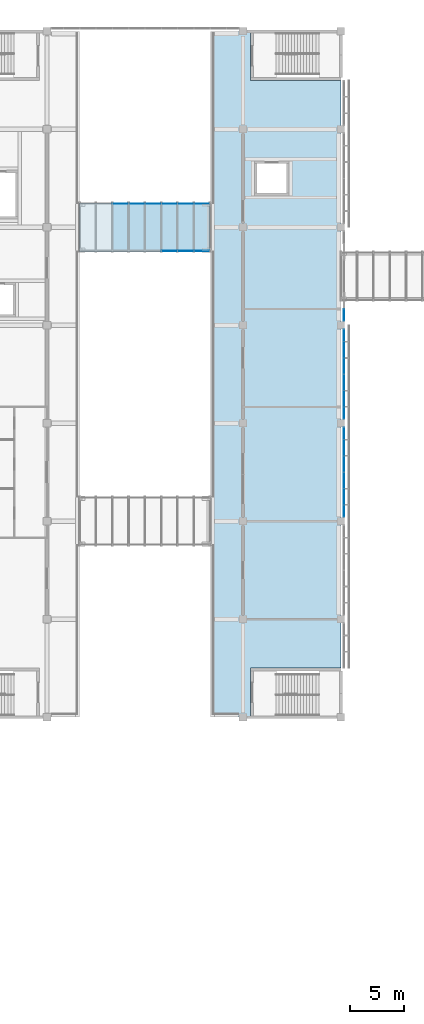
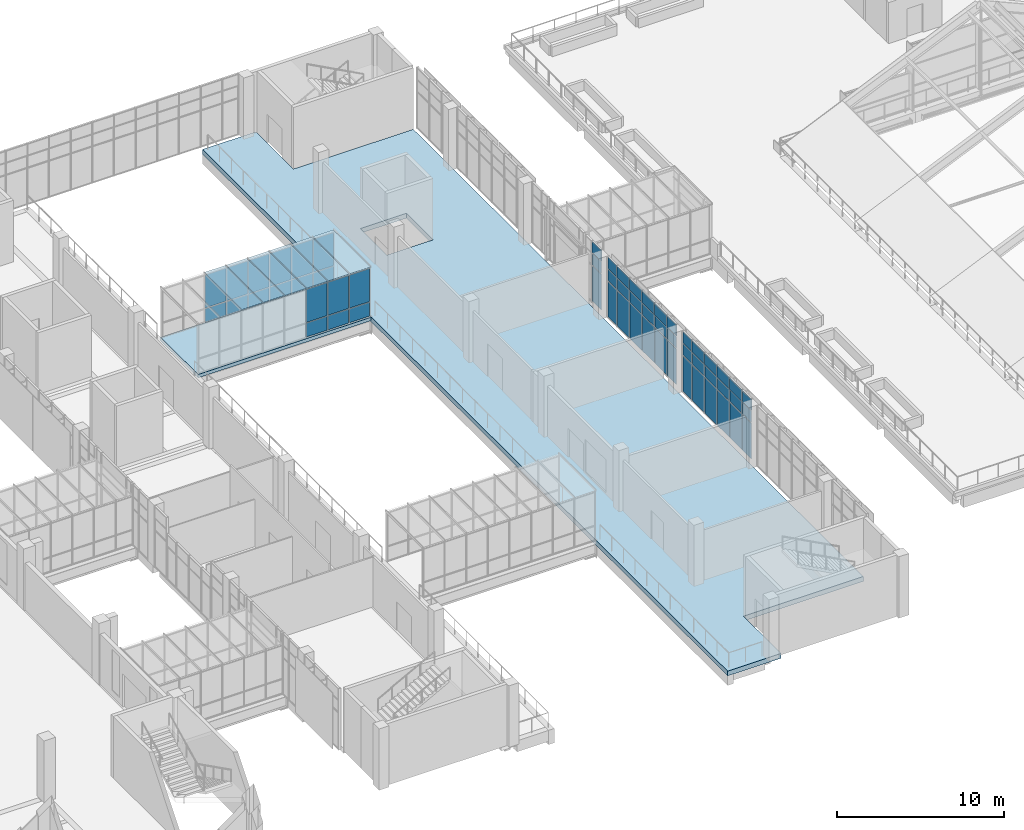
# One storey, part 58 of 106: 63 plates, 2 slabs, 6 elements without a shape of their own.
"""IFC4 building model written with IfcOpenShell, lengths in metres."""

from ifc_helpers import new_model, si_unit, direction, frame, origin, origin_2d, place, context, subcontext, project, spatial, polyline, rectangle, outline, extrude, material, layer, layer_set, type_object, element, aggregate, save


model = new_model("IFC4")

# Units and contexts
model_context = context("Model", 3, precision=1e-05, world=origin(), true_north=direction((0.0, 1.0)))
body_context = subcontext(model_context, "Body", "Model", "MODEL_VIEW")
ifc_project = project(units=[si_unit("LENGTHUNIT", "METRE"), si_unit("AREAUNIT", "SQUARE_METRE"), si_unit("VOLUMEUNIT", "CUBIC_METRE"), si_unit("PLANEANGLEUNIT", "RADIAN"), si_unit("MASSUNIT", "GRAM", prefix="KILO")], contexts=[model_context])

# Site, building, storey
site_placement = place(None, origin())
site = spatial("IfcSite", under=ifc_project, at=site_placement, CompositionType="ELEMENT")
building_placement = place(site_placement, origin())
building = spatial("IfcBuilding", under=site, at=building_placement, Name="Guidao Yard Department Store", CompositionType="ELEMENT")
storey_placement = place(building_placement, frame((0.0, 0.0, 10.5)))
storey = spatial("IfcBuildingStorey", under=building, at=storey_placement, Name="L02", CompositionType="ELEMENT", Elevation=10.5)

# Slab
ifc_material_1 = material(Name="Concrete C35", Category="concrete")
ifc_layer_1 = layer(ifc_material_1, 0.25)
ifc_layer_set_1 = layer_set([ifc_layer_1], Name="Bridge deck slab 250 C35")
slab_type_1 = type_object("IfcSlabType", Name="Bridge deck slab 250 C35", PredefinedType="FLOOR", material=ifc_layer_set_1)
slab_1_placement = place(storey_placement, frame((0.0, 0.0, -0.25)))
element("IfcSlab", 1, at=slab_1_placement, inside=storey, type_object=slab_type_1, Name="Slab BR12", PredefinedType="FLOOR", context=body_context, shape_type="SweptSolid", body=[
    extrude(outline(polyline([(95.985107421875, 87.75), (84.0, 87.75), (84.0, 92.25), (95.985107421875, 92.25), (95.985107421875, 87.75)])), origin(), (0.0, 0.0, 1.0), 0.25),
])

# Curtain wall, plates
ifc_material_2 = material(Name="Aluminium and glass", Category="aluminium")
ifc_layer_2 = layer(ifc_material_2, 0.159912109375)
ifc_layer_set_2 = layer_set([ifc_layer_2], Name="Bridge glazing CW5 1500 module")
curtain_wall_type_1 = type_object("IfcCurtainWallType", Name="Bridge glazing CW5 1500 module", PredefinedType="NOTDEFINED", material=ifc_layer_set_2)
curtain_wall_1_placement = place(storey_placement, origin())
curtain_wall_1 = element("IfcCurtainWall", 2, at=curtain_wall_1_placement, inside=storey, type_object=curtain_wall_type_1, Name="Bridge roof glazing BR12", PredefinedType="NOTDEFINED")
ifc_material_3 = material(Name="Laminated glass", Category="glass")
ifc_layer_3 = layer(ifc_material_3, 0.017578125)
ifc_layer_set_3 = layer_set([ifc_layer_3], Name="Bridge roof glass BG1 laminated 8+8 fritted")
plate_type_1 = type_object("IfcPlateType", Name="Bridge roof glass BG1 laminated 8+8 fritted", PredefinedType="CURTAIN_PANEL", material=ifc_layer_set_3)
plate_1_placement = place(storey_placement, frame((87.75, 90.0, 3.671142578125), z_axis=(0.0, 0.0, 1.0), x_axis=(1.0, 0.0, 0.0)))
plate_1 = element("IfcPlate", 3, at=plate_1_placement, type_object=plate_type_1, Name="Bridge roof glass BR12", PredefinedType="CURTAIN_PANEL", context=body_context, shape_type="SweptSolid", body=[
    extrude(rectangle(XDim=1.43994140625, YDim=4.5, at=origin_2d()), origin(), (0.0, 0.0, 1.0), 0.017578125),
])
plate_2_placement = place(storey_placement, frame((89.25, 90.0, 3.671142578125), z_axis=(0.0, 0.0, 1.0), x_axis=(1.0, 0.0, 0.0)))
plate_2 = element("IfcPlate", 4, at=plate_2_placement, type_object=plate_type_1, Name="Bridge roof glass BR12", PredefinedType="CURTAIN_PANEL", context=body_context, shape_type="SweptSolid", body=[
    extrude(rectangle(XDim=1.43994140625, YDim=4.5, at=origin_2d()), origin(), (0.0, 0.0, 1.0), 0.017578125),
])
plate_3_placement = place(storey_placement, frame((90.75, 90.0, 3.671142578125), z_axis=(0.0, 0.0, 1.0), x_axis=(1.0, 0.0, 0.0)))
plate_3 = element("IfcPlate", 5, at=plate_3_placement, type_object=plate_type_1, Name="Bridge roof glass BR12", PredefinedType="CURTAIN_PANEL", context=body_context, shape_type="SweptSolid", body=[
    extrude(rectangle(XDim=1.43994140625, YDim=4.5, at=origin_2d()), origin(), (0.0, 0.0, 1.0), 0.017578125),
])
plate_4_placement = place(storey_placement, frame((92.25, 90.0, 3.671142578125), z_axis=(0.0, 0.0, 1.0), x_axis=(1.0, 0.0, 0.0)))
plate_4 = element("IfcPlate", 6, at=plate_4_placement, type_object=plate_type_1, Name="Bridge roof glass BR12", PredefinedType="CURTAIN_PANEL", context=body_context, shape_type="SweptSolid", body=[
    extrude(rectangle(XDim=1.43994140625, YDim=4.5, at=origin_2d()), origin(), (0.0, 0.0, 1.0), 0.017578125),
])
plate_5_placement = place(storey_placement, frame((93.75, 90.0, 3.671142578125), z_axis=(0.0, 0.0, 1.0), x_axis=(1.0, 0.0, 0.0)))
plate_5 = element("IfcPlate", 7, at=plate_5_placement, type_object=plate_type_1, Name="Bridge roof glass BR12", PredefinedType="CURTAIN_PANEL", context=body_context, shape_type="SweptSolid", body=[
    extrude(rectangle(XDim=1.43994140625, YDim=4.5, at=origin_2d()), origin(), (0.0, 0.0, 1.0), 0.017578125),
])
plate_6_placement = place(storey_placement, frame((95.242431640625, 90.0, 3.671142578125), z_axis=(0.0, 0.0, 1.0), x_axis=(1.0, 0.0, 0.0)))
plate_6 = element("IfcPlate", 8, at=plate_6_placement, type_object=plate_type_1, Name="Bridge roof glass BR12", PredefinedType="CURTAIN_PANEL", context=body_context, shape_type="SweptSolid", body=[
    extrude(rectangle(XDim=1.425048828125, YDim=4.5, at=origin_2d()), origin(), (0.0, 0.0, 1.0), 0.017578125),
])
aggregate(curtain_wall_1, [plate_1, plate_2, plate_3, plate_4, plate_5, plate_6])

# Slab
ifc_material_4 = material(Name="Concrete C35", Category="concrete")
ifc_layer_4 = layer(ifc_material_4, 0.35009765625)
ifc_layer_set_4 = layer_set([ifc_layer_4], Name="Gallery floor slab 350 C35")
slab_type_2 = type_object("IfcSlabType", Name="Gallery floor slab 350 C35", PredefinedType="FLOOR", material=ifc_layer_set_4)
slab_2_placement = place(storey_placement, frame((0.0, 0.0, -0.35009765625)))
element("IfcSlab", 9, at=slab_2_placement, inside=storey, type_object=slab_type_2, Name="Slab L02-E", PredefinedType="FLOOR", context=body_context, shape_type="SweptSolid", body=[
    extrude(outline(polyline([(99.699951171875, 49.5), (99.699951171875, 45.0), (99.0, 45.0), (96.0, 45.0), (96.0, 60.75), (96.0, 65.25), (96.0, 87.75), (96.0, 92.25), (96.0, 108.0), (99.0, 108.0), (99.699951171875, 108.0), (99.699951171875, 103.5), (108.0, 103.5), (108.0, 49.5), (99.699951171875, 49.5)]), holes=[polyline([(103.25, 96.10009765625), (100.050048828125, 96.10009765625), (100.050048828125, 92.89990234375), (103.25, 92.89990234375), (103.25, 96.10009765625)])]), origin(), (0.0, 0.0, 1.0), 0.35009765625),
])

# Curtain wall, plates
ifc_material_5 = material(Name="Aluminium and glass", Category="aluminium")
ifc_layer_5 = layer(ifc_material_5, 0.159912109375)
ifc_layer_set_5 = layer_set([ifc_layer_5], Name="Shopfront curtain wall CW1 1500 module")
curtain_wall_type_2 = type_object("IfcCurtainWallType", Name="Shopfront curtain wall CW1 1500 module", PredefinedType="NOTDEFINED", material=ifc_layer_set_5)
curtain_wall_2_placement = place(storey_placement, origin())
curtain_wall_2 = element("IfcCurtainWall", 10, at=curtain_wall_2_placement, inside=storey, type_object=curtain_wall_type_2, Name="Arcade shop front", PredefinedType="NOTDEFINED")
ifc_material_6 = material(Name="Aluminium 6063-T5 faced insulated spandrel", Category="aluminium")
ifc_layer_6 = layer(ifc_material_6, 0.06005859375)
ifc_layer_set_6 = layer_set([ifc_layer_6], Name="Spandrel panel SP1 insulated opaque")
plate_type_2 = type_object("IfcPlateType", Name="Spandrel panel SP1 insulated opaque", PredefinedType="CURTAIN_PANEL", material=ifc_layer_set_6)
plate_7_placement = place(storey_placement, frame((108.280029296875, 63.93994140625, 3.6298828125), z_axis=(0.0, 0.0, 1.0), x_axis=(0.0, -1.0, 0.0)))
plate_7 = element("IfcPlate", 11, at=plate_7_placement, type_object=plate_type_2, Name="CW-AS-L02-16 panel 1.3", PredefinedType="CURTAIN_PANEL", context=body_context, shape_type="SweptSolid", body=[
    extrude(rectangle(XDim=1.06005859375, YDim=0.06005859375, at=origin_2d()), origin(), (0.0, 0.0, 1.0), 0.81005859375),
])
plate_8_placement = place(storey_placement, frame((108.280029296875, 65.25, 3.6298828125), z_axis=(0.0, 0.0, 1.0), x_axis=(0.0, -1.0, 0.0)))
plate_8 = element("IfcPlate", 12, at=plate_8_placement, type_object=plate_type_2, Name="CW-AS-L02-16 panel 2.3", PredefinedType="CURTAIN_PANEL", context=body_context, shape_type="SweptSolid", body=[
    extrude(rectangle(XDim=1.43994140625, YDim=0.06005859375, at=origin_2d()), origin(), (0.0, 0.0, 1.0), 0.81005859375),
])
plate_9_placement = place(storey_placement, frame((108.280029296875, 66.75, 3.6298828125), z_axis=(0.0, 0.0, 1.0), x_axis=(0.0, -1.0, 0.0)))
plate_9 = element("IfcPlate", 13, at=plate_9_placement, type_object=plate_type_2, Name="CW-AS-L02-16 panel 3.3", PredefinedType="CURTAIN_PANEL", context=body_context, shape_type="SweptSolid", body=[
    extrude(rectangle(XDim=1.43994140625, YDim=0.06005859375, at=origin_2d()), origin(), (0.0, 0.0, 1.0), 0.81005859375),
])
plate_10_placement = place(storey_placement, frame((108.280029296875, 68.25, 3.6298828125), z_axis=(0.0, 0.0, 1.0), x_axis=(0.0, -1.0, 0.0)))
plate_10 = element("IfcPlate", 14, at=plate_10_placement, type_object=plate_type_2, Name="CW-AS-L02-16 panel 4.3", PredefinedType="CURTAIN_PANEL", context=body_context, shape_type="SweptSolid", body=[
    extrude(rectangle(XDim=1.43994140625, YDim=0.06005859375, at=origin_2d()), origin(), (0.0, 0.0, 1.0), 0.81005859375),
])
plate_11_placement = place(storey_placement, frame((108.280029296875, 69.75, 3.6298828125), z_axis=(0.0, 0.0, 1.0), x_axis=(0.0, -1.0, 0.0)))
plate_11 = element("IfcPlate", 15, at=plate_11_placement, type_object=plate_type_2, Name="CW-AS-L02-16 panel 5.3", PredefinedType="CURTAIN_PANEL", context=body_context, shape_type="SweptSolid", body=[
    extrude(rectangle(XDim=1.43994140625, YDim=0.06005859375, at=origin_2d()), origin(), (0.0, 0.0, 1.0), 0.81005859375),
])
plate_12_placement = place(storey_placement, frame((108.280029296875, 71.06005859375, 3.6298828125), z_axis=(0.0, 0.0, 1.0), x_axis=(0.0, -1.0, 0.0)))
plate_12 = element("IfcPlate", 16, at=plate_12_placement, type_object=plate_type_2, Name="CW-AS-L02-16 panel 6.3", PredefinedType="CURTAIN_PANEL", context=body_context, shape_type="SweptSolid", body=[
    extrude(rectangle(XDim=1.06005859375, YDim=0.06005859375, at=origin_2d()), origin(), (0.0, 0.0, 1.0), 0.81005859375),
])

curtain_wall_3_placement = place(storey_placement, origin())
curtain_wall_3 = element("IfcCurtainWall", 17, at=curtain_wall_3_placement, inside=storey, type_object=curtain_wall_type_2, Name="Arcade shop front", PredefinedType="NOTDEFINED")
plate_13_placement = place(storey_placement, frame((108.280029296875, 72.93994140625, 3.6298828125), z_axis=(0.0, 0.0, 1.0), x_axis=(0.0, -1.0, 0.0)))
plate_13 = element("IfcPlate", 18, at=plate_13_placement, type_object=plate_type_2, Name="CW-AS-L02-17 panel 1.3", PredefinedType="CURTAIN_PANEL", context=body_context, shape_type="SweptSolid", body=[
    extrude(rectangle(XDim=1.06005859375, YDim=0.06005859375, at=origin_2d()), origin(), (0.0, 0.0, 1.0), 0.81005859375),
])
plate_14_placement = place(storey_placement, frame((108.280029296875, 74.25, 3.6298828125), z_axis=(0.0, 0.0, 1.0), x_axis=(0.0, -1.0, 0.0)))
plate_14 = element("IfcPlate", 19, at=plate_14_placement, type_object=plate_type_2, Name="CW-AS-L02-17 panel 2.3", PredefinedType="CURTAIN_PANEL", context=body_context, shape_type="SweptSolid", body=[
    extrude(rectangle(XDim=1.43994140625, YDim=0.06005859375, at=origin_2d()), origin(), (0.0, 0.0, 1.0), 0.81005859375),
])
plate_15_placement = place(storey_placement, frame((108.280029296875, 75.75, 3.6298828125), z_axis=(0.0, 0.0, 1.0), x_axis=(0.0, -1.0, 0.0)))
plate_15 = element("IfcPlate", 20, at=plate_15_placement, type_object=plate_type_2, Name="CW-AS-L02-17 panel 3.3", PredefinedType="CURTAIN_PANEL", context=body_context, shape_type="SweptSolid", body=[
    extrude(rectangle(XDim=1.43994140625, YDim=0.06005859375, at=origin_2d()), origin(), (0.0, 0.0, 1.0), 0.81005859375),
])
plate_16_placement = place(storey_placement, frame((108.280029296875, 77.25, 3.6298828125), z_axis=(0.0, 0.0, 1.0), x_axis=(0.0, -1.0, 0.0)))
plate_16 = element("IfcPlate", 21, at=plate_16_placement, type_object=plate_type_2, Name="CW-AS-L02-17 panel 4.3", PredefinedType="CURTAIN_PANEL", context=body_context, shape_type="SweptSolid", body=[
    extrude(rectangle(XDim=1.43994140625, YDim=0.06005859375, at=origin_2d()), origin(), (0.0, 0.0, 1.0), 0.81005859375),
])
plate_17_placement = place(storey_placement, frame((108.280029296875, 78.75, 3.6298828125), z_axis=(0.0, 0.0, 1.0), x_axis=(0.0, -1.0, 0.0)))
plate_17 = element("IfcPlate", 22, at=plate_17_placement, type_object=plate_type_2, Name="CW-AS-L02-17 panel 5.3", PredefinedType="CURTAIN_PANEL", context=body_context, shape_type="SweptSolid", body=[
    extrude(rectangle(XDim=1.43994140625, YDim=0.06005859375, at=origin_2d()), origin(), (0.0, 0.0, 1.0), 0.81005859375),
])
plate_18_placement = place(storey_placement, frame((108.280029296875, 80.06005859375, 3.6298828125), z_axis=(0.0, 0.0, 1.0), x_axis=(0.0, -1.0, 0.0)))
plate_18 = element("IfcPlate", 23, at=plate_18_placement, type_object=plate_type_2, Name="CW-AS-L02-17 panel 6.3", PredefinedType="CURTAIN_PANEL", context=body_context, shape_type="SweptSolid", body=[
    extrude(rectangle(XDim=1.06005859375, YDim=0.06005859375, at=origin_2d()), origin(), (0.0, 0.0, 1.0), 0.81005859375),
])

# Curtain wall, plate
curtain_wall_4_placement = place(storey_placement, origin())
curtain_wall_4 = element("IfcCurtainWall", 24, at=curtain_wall_4_placement, inside=storey, type_object=curtain_wall_type_2, Name="Arcade shop front", PredefinedType="NOTDEFINED")
plate_19_placement = place(storey_placement, frame((108.280029296875, 81.93994140625, 3.6298828125), z_axis=(0.0, 0.0, 1.0), x_axis=(0.0, -1.0, 0.0)))
plate_19 = element("IfcPlate", 25, at=plate_19_placement, type_object=plate_type_2, Name="CW-AS-L02-18 panel 1.3", PredefinedType="CURTAIN_PANEL", context=body_context, shape_type="SweptSolid", body=[
    extrude(rectangle(XDim=1.06005859375, YDim=0.06005859375, at=origin_2d()), origin(), (0.0, 0.0, 1.0), 0.81005859375),
])

# Plate
ifc_material_7 = material(Name="Laminated heat-soaked tempered glass", Category="glass")
ifc_layer_7 = layer(ifc_material_7, 0.017578125)
ifc_layer_set_7 = layer_set([ifc_layer_7], Name="Vision glass VG1 laminated heat-soaked tempered 8+8")
plate_type_3 = type_object("IfcPlateType", Name="Vision glass VG1 laminated heat-soaked tempered 8+8", PredefinedType="CURTAIN_PANEL", material=ifc_layer_set_7)
plate_20_placement = place(storey_placement, frame((108.280029296875, 63.93994140625, 0.06005859375), z_axis=(0.0, 0.0, 1.0), x_axis=(0.0, -1.0, 0.0)))
plate_20 = element("IfcPlate", 26, at=plate_20_placement, type_object=plate_type_3, Name="CW-AS-L02-16 panel 1.1", PredefinedType="CURTAIN_PANEL", context=body_context, shape_type="SweptSolid", body=[
    extrude(rectangle(XDim=1.06005859375, YDim=0.017578125, at=origin_2d()), origin(), (0.0, 0.0, 1.0), 2.610107421875),
])

plate_21_placement = place(storey_placement, frame((108.280029296875, 63.93994140625, 2.72998046875), z_axis=(0.0, 0.0, 1.0), x_axis=(0.0, -1.0, 0.0)))
plate_21 = element("IfcPlate", 27, at=plate_21_placement, type_object=plate_type_3, Name="CW-AS-L02-16 panel 1.2", PredefinedType="CURTAIN_PANEL", context=body_context, shape_type="SweptSolid", body=[
    extrude(rectangle(XDim=1.06005859375, YDim=0.017578125, at=origin_2d()), origin(), (0.0, 0.0, 1.0), 0.840087890625),
])

plate_22_placement = place(storey_placement, frame((108.280029296875, 65.25, 0.06005859375), z_axis=(0.0, 0.0, 1.0), x_axis=(0.0, -1.0, 0.0)))
plate_22 = element("IfcPlate", 28, at=plate_22_placement, type_object=plate_type_3, Name="CW-AS-L02-16 panel 2.1", PredefinedType="CURTAIN_PANEL", context=body_context, shape_type="SweptSolid", body=[
    extrude(rectangle(XDim=1.43994140625, YDim=0.017578125, at=origin_2d()), origin(), (0.0, 0.0, 1.0), 2.610107421875),
])

plate_23_placement = place(storey_placement, frame((108.280029296875, 65.25, 2.72998046875), z_axis=(0.0, 0.0, 1.0), x_axis=(0.0, -1.0, 0.0)))
plate_23 = element("IfcPlate", 29, at=plate_23_placement, type_object=plate_type_3, Name="CW-AS-L02-16 panel 2.2", PredefinedType="CURTAIN_PANEL", context=body_context, shape_type="SweptSolid", body=[
    extrude(rectangle(XDim=1.43994140625, YDim=0.017578125, at=origin_2d()), origin(), (0.0, 0.0, 1.0), 0.840087890625),
])

plate_24_placement = place(storey_placement, frame((108.280029296875, 66.75, 0.06005859375), z_axis=(0.0, 0.0, 1.0), x_axis=(0.0, -1.0, 0.0)))
plate_24 = element("IfcPlate", 30, at=plate_24_placement, type_object=plate_type_3, Name="CW-AS-L02-16 panel 3.1", PredefinedType="CURTAIN_PANEL", context=body_context, shape_type="SweptSolid", body=[
    extrude(rectangle(XDim=1.43994140625, YDim=0.017578125, at=origin_2d()), origin(), (0.0, 0.0, 1.0), 2.610107421875),
])

plate_25_placement = place(storey_placement, frame((108.280029296875, 66.75, 2.72998046875), z_axis=(0.0, 0.0, 1.0), x_axis=(0.0, -1.0, 0.0)))
plate_25 = element("IfcPlate", 31, at=plate_25_placement, type_object=plate_type_3, Name="CW-AS-L02-16 panel 3.2", PredefinedType="CURTAIN_PANEL", context=body_context, shape_type="SweptSolid", body=[
    extrude(rectangle(XDim=1.43994140625, YDim=0.017578125, at=origin_2d()), origin(), (0.0, 0.0, 1.0), 0.840087890625),
])

plate_26_placement = place(storey_placement, frame((108.280029296875, 68.25, 0.06005859375), z_axis=(0.0, 0.0, 1.0), x_axis=(0.0, -1.0, 0.0)))
plate_26 = element("IfcPlate", 32, at=plate_26_placement, type_object=plate_type_3, Name="CW-AS-L02-16 panel 4.1", PredefinedType="CURTAIN_PANEL", context=body_context, shape_type="SweptSolid", body=[
    extrude(rectangle(XDim=1.43994140625, YDim=0.017578125, at=origin_2d()), origin(), (0.0, 0.0, 1.0), 2.610107421875),
])

plate_27_placement = place(storey_placement, frame((108.280029296875, 68.25, 2.72998046875), z_axis=(0.0, 0.0, 1.0), x_axis=(0.0, -1.0, 0.0)))
plate_27 = element("IfcPlate", 33, at=plate_27_placement, type_object=plate_type_3, Name="CW-AS-L02-16 panel 4.2", PredefinedType="CURTAIN_PANEL", context=body_context, shape_type="SweptSolid", body=[
    extrude(rectangle(XDim=1.43994140625, YDim=0.017578125, at=origin_2d()), origin(), (0.0, 0.0, 1.0), 0.840087890625),
])

plate_28_placement = place(storey_placement, frame((108.280029296875, 69.75, 0.06005859375), z_axis=(0.0, 0.0, 1.0), x_axis=(0.0, -1.0, 0.0)))
plate_28 = element("IfcPlate", 34, at=plate_28_placement, type_object=plate_type_3, Name="CW-AS-L02-16 panel 5.1", PredefinedType="CURTAIN_PANEL", context=body_context, shape_type="SweptSolid", body=[
    extrude(rectangle(XDim=1.43994140625, YDim=0.017578125, at=origin_2d()), origin(), (0.0, 0.0, 1.0), 2.610107421875),
])

plate_29_placement = place(storey_placement, frame((108.280029296875, 69.75, 2.72998046875), z_axis=(0.0, 0.0, 1.0), x_axis=(0.0, -1.0, 0.0)))
plate_29 = element("IfcPlate", 35, at=plate_29_placement, type_object=plate_type_3, Name="CW-AS-L02-16 panel 5.2", PredefinedType="CURTAIN_PANEL", context=body_context, shape_type="SweptSolid", body=[
    extrude(rectangle(XDim=1.43994140625, YDim=0.017578125, at=origin_2d()), origin(), (0.0, 0.0, 1.0), 0.840087890625),
])

plate_30_placement = place(storey_placement, frame((108.280029296875, 71.06005859375, 0.06005859375), z_axis=(0.0, 0.0, 1.0), x_axis=(0.0, -1.0, 0.0)))
plate_30 = element("IfcPlate", 36, at=plate_30_placement, type_object=plate_type_3, Name="CW-AS-L02-16 panel 6.1", PredefinedType="CURTAIN_PANEL", context=body_context, shape_type="SweptSolid", body=[
    extrude(rectangle(XDim=1.06005859375, YDim=0.017578125, at=origin_2d()), origin(), (0.0, 0.0, 1.0), 2.610107421875),
])

plate_31_placement = place(storey_placement, frame((108.280029296875, 71.06005859375, 2.72998046875), z_axis=(0.0, 0.0, 1.0), x_axis=(0.0, -1.0, 0.0)))
plate_31 = element("IfcPlate", 37, at=plate_31_placement, type_object=plate_type_3, Name="CW-AS-L02-16 panel 6.2", PredefinedType="CURTAIN_PANEL", context=body_context, shape_type="SweptSolid", body=[
    extrude(rectangle(XDim=1.06005859375, YDim=0.017578125, at=origin_2d()), origin(), (0.0, 0.0, 1.0), 0.840087890625),
])

aggregate(curtain_wall_2, [plate_20, plate_21, plate_7, plate_22, plate_23, plate_8, plate_24, plate_25, plate_9, plate_26, plate_27, plate_10, plate_28, plate_29, plate_11, plate_30, plate_31, plate_12])

plate_32_placement = place(storey_placement, frame((108.280029296875, 72.93994140625, 0.06005859375), z_axis=(0.0, 0.0, 1.0), x_axis=(0.0, -1.0, 0.0)))
plate_32 = element("IfcPlate", 38, at=plate_32_placement, type_object=plate_type_3, Name="CW-AS-L02-17 panel 1.1", PredefinedType="CURTAIN_PANEL", context=body_context, shape_type="SweptSolid", body=[
    extrude(rectangle(XDim=1.06005859375, YDim=0.017578125, at=origin_2d()), origin(), (0.0, 0.0, 1.0), 2.610107421875),
])

plate_33_placement = place(storey_placement, frame((108.280029296875, 72.93994140625, 2.72998046875), z_axis=(0.0, 0.0, 1.0), x_axis=(0.0, -1.0, 0.0)))
plate_33 = element("IfcPlate", 39, at=plate_33_placement, type_object=plate_type_3, Name="CW-AS-L02-17 panel 1.2", PredefinedType="CURTAIN_PANEL", context=body_context, shape_type="SweptSolid", body=[
    extrude(rectangle(XDim=1.06005859375, YDim=0.017578125, at=origin_2d()), origin(), (0.0, 0.0, 1.0), 0.840087890625),
])

plate_34_placement = place(storey_placement, frame((108.280029296875, 74.25, 0.06005859375), z_axis=(0.0, 0.0, 1.0), x_axis=(0.0, -1.0, 0.0)))
plate_34 = element("IfcPlate", 40, at=plate_34_placement, type_object=plate_type_3, Name="CW-AS-L02-17 panel 2.1", PredefinedType="CURTAIN_PANEL", context=body_context, shape_type="SweptSolid", body=[
    extrude(rectangle(XDim=1.43994140625, YDim=0.017578125, at=origin_2d()), origin(), (0.0, 0.0, 1.0), 2.610107421875),
])

plate_35_placement = place(storey_placement, frame((108.280029296875, 74.25, 2.72998046875), z_axis=(0.0, 0.0, 1.0), x_axis=(0.0, -1.0, 0.0)))
plate_35 = element("IfcPlate", 41, at=plate_35_placement, type_object=plate_type_3, Name="CW-AS-L02-17 panel 2.2", PredefinedType="CURTAIN_PANEL", context=body_context, shape_type="SweptSolid", body=[
    extrude(rectangle(XDim=1.43994140625, YDim=0.017578125, at=origin_2d()), origin(), (0.0, 0.0, 1.0), 0.840087890625),
])

plate_36_placement = place(storey_placement, frame((108.280029296875, 75.75, 0.06005859375), z_axis=(0.0, 0.0, 1.0), x_axis=(0.0, -1.0, 0.0)))
plate_36 = element("IfcPlate", 42, at=plate_36_placement, type_object=plate_type_3, Name="CW-AS-L02-17 panel 3.1", PredefinedType="CURTAIN_PANEL", context=body_context, shape_type="SweptSolid", body=[
    extrude(rectangle(XDim=1.43994140625, YDim=0.017578125, at=origin_2d()), origin(), (0.0, 0.0, 1.0), 2.610107421875),
])

plate_37_placement = place(storey_placement, frame((108.280029296875, 75.75, 2.72998046875), z_axis=(0.0, 0.0, 1.0), x_axis=(0.0, -1.0, 0.0)))
plate_37 = element("IfcPlate", 43, at=plate_37_placement, type_object=plate_type_3, Name="CW-AS-L02-17 panel 3.2", PredefinedType="CURTAIN_PANEL", context=body_context, shape_type="SweptSolid", body=[
    extrude(rectangle(XDim=1.43994140625, YDim=0.017578125, at=origin_2d()), origin(), (0.0, 0.0, 1.0), 0.840087890625),
])

plate_38_placement = place(storey_placement, frame((108.280029296875, 77.25, 0.06005859375), z_axis=(0.0, 0.0, 1.0), x_axis=(0.0, -1.0, 0.0)))
plate_38 = element("IfcPlate", 44, at=plate_38_placement, type_object=plate_type_3, Name="CW-AS-L02-17 panel 4.1", PredefinedType="CURTAIN_PANEL", context=body_context, shape_type="SweptSolid", body=[
    extrude(rectangle(XDim=1.43994140625, YDim=0.017578125, at=origin_2d()), origin(), (0.0, 0.0, 1.0), 2.610107421875),
])

plate_39_placement = place(storey_placement, frame((108.280029296875, 77.25, 2.72998046875), z_axis=(0.0, 0.0, 1.0), x_axis=(0.0, -1.0, 0.0)))
plate_39 = element("IfcPlate", 45, at=plate_39_placement, type_object=plate_type_3, Name="CW-AS-L02-17 panel 4.2", PredefinedType="CURTAIN_PANEL", context=body_context, shape_type="SweptSolid", body=[
    extrude(rectangle(XDim=1.43994140625, YDim=0.017578125, at=origin_2d()), origin(), (0.0, 0.0, 1.0), 0.840087890625),
])

plate_40_placement = place(storey_placement, frame((108.280029296875, 78.75, 0.06005859375), z_axis=(0.0, 0.0, 1.0), x_axis=(0.0, -1.0, 0.0)))
plate_40 = element("IfcPlate", 46, at=plate_40_placement, type_object=plate_type_3, Name="CW-AS-L02-17 panel 5.1", PredefinedType="CURTAIN_PANEL", context=body_context, shape_type="SweptSolid", body=[
    extrude(rectangle(XDim=1.43994140625, YDim=0.017578125, at=origin_2d()), origin(), (0.0, 0.0, 1.0), 2.610107421875),
])

plate_41_placement = place(storey_placement, frame((108.280029296875, 78.75, 2.72998046875), z_axis=(0.0, 0.0, 1.0), x_axis=(0.0, -1.0, 0.0)))
plate_41 = element("IfcPlate", 47, at=plate_41_placement, type_object=plate_type_3, Name="CW-AS-L02-17 panel 5.2", PredefinedType="CURTAIN_PANEL", context=body_context, shape_type="SweptSolid", body=[
    extrude(rectangle(XDim=1.43994140625, YDim=0.017578125, at=origin_2d()), origin(), (0.0, 0.0, 1.0), 0.840087890625),
])

plate_42_placement = place(storey_placement, frame((108.280029296875, 80.06005859375, 0.06005859375), z_axis=(0.0, 0.0, 1.0), x_axis=(0.0, -1.0, 0.0)))
plate_42 = element("IfcPlate", 48, at=plate_42_placement, type_object=plate_type_3, Name="CW-AS-L02-17 panel 6.1", PredefinedType="CURTAIN_PANEL", context=body_context, shape_type="SweptSolid", body=[
    extrude(rectangle(XDim=1.06005859375, YDim=0.017578125, at=origin_2d()), origin(), (0.0, 0.0, 1.0), 2.610107421875),
])

plate_43_placement = place(storey_placement, frame((108.280029296875, 80.06005859375, 2.72998046875), z_axis=(0.0, 0.0, 1.0), x_axis=(0.0, -1.0, 0.0)))
plate_43 = element("IfcPlate", 49, at=plate_43_placement, type_object=plate_type_3, Name="CW-AS-L02-17 panel 6.2", PredefinedType="CURTAIN_PANEL", context=body_context, shape_type="SweptSolid", body=[
    extrude(rectangle(XDim=1.06005859375, YDim=0.017578125, at=origin_2d()), origin(), (0.0, 0.0, 1.0), 0.840087890625),
])

aggregate(curtain_wall_3, [plate_32, plate_33, plate_13, plate_34, plate_35, plate_14, plate_36, plate_37, plate_15, plate_38, plate_39, plate_16, plate_40, plate_41, plate_17, plate_42, plate_43, plate_18])

plate_44_placement = place(storey_placement, frame((108.280029296875, 81.93994140625, 0.06005859375), z_axis=(0.0, 0.0, 1.0), x_axis=(0.0, -1.0, 0.0)))
plate_44 = element("IfcPlate", 50, at=plate_44_placement, type_object=plate_type_3, Name="CW-AS-L02-18 panel 1.1", PredefinedType="CURTAIN_PANEL", context=body_context, shape_type="SweptSolid", body=[
    extrude(rectangle(XDim=1.06005859375, YDim=0.017578125, at=origin_2d()), origin(), (0.0, 0.0, 1.0), 2.610107421875),
])

plate_45_placement = place(storey_placement, frame((108.280029296875, 81.93994140625, 2.72998046875), z_axis=(0.0, 0.0, 1.0), x_axis=(0.0, -1.0, 0.0)))
plate_45 = element("IfcPlate", 51, at=plate_45_placement, type_object=plate_type_3, Name="CW-AS-L02-18 panel 1.2", PredefinedType="CURTAIN_PANEL", context=body_context, shape_type="SweptSolid", body=[
    extrude(rectangle(XDim=1.06005859375, YDim=0.017578125, at=origin_2d()), origin(), (0.0, 0.0, 1.0), 0.840087890625),
])

aggregate(curtain_wall_4, [plate_44, plate_45, plate_19])

# Curtain wall, plates
curtain_wall_5_placement = place(storey_placement, origin())
curtain_wall_5 = element("IfcCurtainWall", 52, at=curtain_wall_5_placement, inside=storey, type_object=curtain_wall_type_1, Name="Bridge glazing BR12 S", PredefinedType="NOTDEFINED")
plate_46_placement = place(storey_placement, frame((92.25, 87.830078125, 0.06005859375), z_axis=(0.0, 0.0, 1.0), x_axis=(-1.0, 0.0, 0.0)))
plate_46 = element("IfcPlate", 53, at=plate_46_placement, type_object=plate_type_3, Name="CW-S-L02-10 panel 6.1", PredefinedType="CURTAIN_PANEL", context=body_context, shape_type="SweptSolid", body=[
    extrude(rectangle(XDim=1.43994140625, YDim=0.017578125, at=origin_2d()), origin(), (0.0, 0.0, 1.0), 1.010009765625),
])
plate_47_placement = place(storey_placement, frame((92.25, 87.830078125, 1.1298828125), z_axis=(0.0, 0.0, 1.0), x_axis=(-1.0, 0.0, 0.0)))
plate_47 = element("IfcPlate", 54, at=plate_47_placement, type_object=plate_type_3, Name="CW-S-L02-10 panel 6.2", PredefinedType="CURTAIN_PANEL", context=body_context, shape_type="SweptSolid", body=[
    extrude(rectangle(XDim=1.43994140625, YDim=0.017578125, at=origin_2d()), origin(), (0.0, 0.0, 1.0), 2.409912109375),
])
plate_48_placement = place(storey_placement, frame((93.75, 87.830078125, 0.06005859375), z_axis=(0.0, 0.0, 1.0), x_axis=(-1.0, 0.0, 0.0)))
plate_48 = element("IfcPlate", 55, at=plate_48_placement, type_object=plate_type_3, Name="CW-S-L02-10 panel 7.1", PredefinedType="CURTAIN_PANEL", context=body_context, shape_type="SweptSolid", body=[
    extrude(rectangle(XDim=1.43994140625, YDim=0.017578125, at=origin_2d()), origin(), (0.0, 0.0, 1.0), 1.010009765625),
])
plate_49_placement = place(storey_placement, frame((93.75, 87.830078125, 1.1298828125), z_axis=(0.0, 0.0, 1.0), x_axis=(-1.0, 0.0, 0.0)))
plate_49 = element("IfcPlate", 56, at=plate_49_placement, type_object=plate_type_3, Name="CW-S-L02-10 panel 7.2", PredefinedType="CURTAIN_PANEL", context=body_context, shape_type="SweptSolid", body=[
    extrude(rectangle(XDim=1.43994140625, YDim=0.017578125, at=origin_2d()), origin(), (0.0, 0.0, 1.0), 2.409912109375),
])
plate_50_placement = place(storey_placement, frame((95.2275390625, 87.830078125, 0.06005859375), z_axis=(0.0, 0.0, 1.0), x_axis=(-1.0, 0.0, 0.0)))
plate_50 = element("IfcPlate", 57, at=plate_50_placement, type_object=plate_type_3, Name="CW-S-L02-10 panel 8.1", PredefinedType="CURTAIN_PANEL", context=body_context, shape_type="SweptSolid", body=[
    extrude(rectangle(XDim=1.39501953125, YDim=0.017578125, at=origin_2d()), origin(), (0.0, 0.0, 1.0), 1.010009765625),
])
plate_51_placement = place(storey_placement, frame((95.2275390625, 87.830078125, 1.1298828125), z_axis=(0.0, 0.0, 1.0), x_axis=(-1.0, 0.0, 0.0)))
plate_51 = element("IfcPlate", 58, at=plate_51_placement, type_object=plate_type_3, Name="CW-S-L02-10 panel 8.2", PredefinedType="CURTAIN_PANEL", context=body_context, shape_type="SweptSolid", body=[
    extrude(rectangle(XDim=1.39501953125, YDim=0.017578125, at=origin_2d()), origin(), (0.0, 0.0, 1.0), 2.409912109375),
])
aggregate(curtain_wall_5, [plate_46, plate_47, plate_48, plate_49, plate_50, plate_51])

curtain_wall_6_placement = place(storey_placement, origin())
curtain_wall_6 = element("IfcCurtainWall", 59, at=curtain_wall_6_placement, inside=storey, type_object=curtain_wall_type_1, Name="Bridge glazing BR12 N", PredefinedType="NOTDEFINED")
plate_52_placement = place(storey_placement, frame((87.75, 92.169921875, 0.06005859375), z_axis=(0.0, 0.0, 1.0), x_axis=(1.0, 0.0, 0.0)))
plate_52 = element("IfcPlate", 60, at=plate_52_placement, type_object=plate_type_3, Name="CW-N-L02-11 panel 3.1", PredefinedType="CURTAIN_PANEL", context=body_context, shape_type="SweptSolid", body=[
    extrude(rectangle(XDim=1.43994140625, YDim=0.017578125, at=origin_2d()), origin(), (0.0, 0.0, 1.0), 1.010009765625),
])
plate_53_placement = place(storey_placement, frame((87.75, 92.169921875, 1.1298828125), z_axis=(0.0, 0.0, 1.0), x_axis=(1.0, 0.0, 0.0)))
plate_53 = element("IfcPlate", 61, at=plate_53_placement, type_object=plate_type_3, Name="CW-N-L02-11 panel 3.2", PredefinedType="CURTAIN_PANEL", context=body_context, shape_type="SweptSolid", body=[
    extrude(rectangle(XDim=1.43994140625, YDim=0.017578125, at=origin_2d()), origin(), (0.0, 0.0, 1.0), 2.409912109375),
])
plate_54_placement = place(storey_placement, frame((89.25, 92.169921875, 0.06005859375), z_axis=(0.0, 0.0, 1.0), x_axis=(1.0, 0.0, 0.0)))
plate_54 = element("IfcPlate", 62, at=plate_54_placement, type_object=plate_type_3, Name="CW-N-L02-11 panel 4.1", PredefinedType="CURTAIN_PANEL", context=body_context, shape_type="SweptSolid", body=[
    extrude(rectangle(XDim=1.43994140625, YDim=0.017578125, at=origin_2d()), origin(), (0.0, 0.0, 1.0), 1.010009765625),
])
plate_55_placement = place(storey_placement, frame((89.25, 92.169921875, 1.1298828125), z_axis=(0.0, 0.0, 1.0), x_axis=(1.0, 0.0, 0.0)))
plate_55 = element("IfcPlate", 63, at=plate_55_placement, type_object=plate_type_3, Name="CW-N-L02-11 panel 4.2", PredefinedType="CURTAIN_PANEL", context=body_context, shape_type="SweptSolid", body=[
    extrude(rectangle(XDim=1.43994140625, YDim=0.017578125, at=origin_2d()), origin(), (0.0, 0.0, 1.0), 2.409912109375),
])
plate_56_placement = place(storey_placement, frame((90.75, 92.169921875, 0.06005859375), z_axis=(0.0, 0.0, 1.0), x_axis=(1.0, 0.0, 0.0)))
plate_56 = element("IfcPlate", 64, at=plate_56_placement, type_object=plate_type_3, Name="CW-N-L02-11 panel 5.1", PredefinedType="CURTAIN_PANEL", context=body_context, shape_type="SweptSolid", body=[
    extrude(rectangle(XDim=1.43994140625, YDim=0.017578125, at=origin_2d()), origin(), (0.0, 0.0, 1.0), 1.010009765625),
])
plate_57_placement = place(storey_placement, frame((90.75, 92.169921875, 1.1298828125), z_axis=(0.0, 0.0, 1.0), x_axis=(1.0, 0.0, 0.0)))
plate_57 = element("IfcPlate", 65, at=plate_57_placement, type_object=plate_type_3, Name="CW-N-L02-11 panel 5.2", PredefinedType="CURTAIN_PANEL", context=body_context, shape_type="SweptSolid", body=[
    extrude(rectangle(XDim=1.43994140625, YDim=0.017578125, at=origin_2d()), origin(), (0.0, 0.0, 1.0), 2.409912109375),
])
plate_58_placement = place(storey_placement, frame((92.25, 92.169921875, 0.06005859375), z_axis=(0.0, 0.0, 1.0), x_axis=(1.0, 0.0, 0.0)))
plate_58 = element("IfcPlate", 66, at=plate_58_placement, type_object=plate_type_3, Name="CW-N-L02-11 panel 6.1", PredefinedType="CURTAIN_PANEL", context=body_context, shape_type="SweptSolid", body=[
    extrude(rectangle(XDim=1.43994140625, YDim=0.017578125, at=origin_2d()), origin(), (0.0, 0.0, 1.0), 1.010009765625),
])
plate_59_placement = place(storey_placement, frame((92.25, 92.169921875, 1.1298828125), z_axis=(0.0, 0.0, 1.0), x_axis=(1.0, 0.0, 0.0)))
plate_59 = element("IfcPlate", 67, at=plate_59_placement, type_object=plate_type_3, Name="CW-N-L02-11 panel 6.2", PredefinedType="CURTAIN_PANEL", context=body_context, shape_type="SweptSolid", body=[
    extrude(rectangle(XDim=1.43994140625, YDim=0.017578125, at=origin_2d()), origin(), (0.0, 0.0, 1.0), 2.409912109375),
])
plate_60_placement = place(storey_placement, frame((93.75, 92.169921875, 0.06005859375), z_axis=(0.0, 0.0, 1.0), x_axis=(1.0, 0.0, 0.0)))
plate_60 = element("IfcPlate", 68, at=plate_60_placement, type_object=plate_type_3, Name="CW-N-L02-11 panel 7.1", PredefinedType="CURTAIN_PANEL", context=body_context, shape_type="SweptSolid", body=[
    extrude(rectangle(XDim=1.43994140625, YDim=0.017578125, at=origin_2d()), origin(), (0.0, 0.0, 1.0), 1.010009765625),
])
plate_61_placement = place(storey_placement, frame((93.75, 92.169921875, 1.1298828125), z_axis=(0.0, 0.0, 1.0), x_axis=(1.0, 0.0, 0.0)))
plate_61 = element("IfcPlate", 69, at=plate_61_placement, type_object=plate_type_3, Name="CW-N-L02-11 panel 7.2", PredefinedType="CURTAIN_PANEL", context=body_context, shape_type="SweptSolid", body=[
    extrude(rectangle(XDim=1.43994140625, YDim=0.017578125, at=origin_2d()), origin(), (0.0, 0.0, 1.0), 2.409912109375),
])
plate_62_placement = place(storey_placement, frame((95.2275390625, 92.169921875, 0.06005859375), z_axis=(0.0, 0.0, 1.0), x_axis=(1.0, 0.0, 0.0)))
plate_62 = element("IfcPlate", 70, at=plate_62_placement, type_object=plate_type_3, Name="CW-N-L02-11 panel 8.1", PredefinedType="CURTAIN_PANEL", context=body_context, shape_type="SweptSolid", body=[
    extrude(rectangle(XDim=1.39501953125, YDim=0.017578125, at=origin_2d()), origin(), (0.0, 0.0, 1.0), 1.010009765625),
])
plate_63_placement = place(storey_placement, frame((95.2275390625, 92.169921875, 1.1298828125), z_axis=(0.0, 0.0, 1.0), x_axis=(1.0, 0.0, 0.0)))
plate_63 = element("IfcPlate", 71, at=plate_63_placement, type_object=plate_type_3, Name="CW-N-L02-11 panel 8.2", PredefinedType="CURTAIN_PANEL", context=body_context, shape_type="SweptSolid", body=[
    extrude(rectangle(XDim=1.39501953125, YDim=0.017578125, at=origin_2d()), origin(), (0.0, 0.0, 1.0), 2.409912109375),
])
aggregate(curtain_wall_6, [plate_52, plate_53, plate_54, plate_55, plate_56, plate_57, plate_58, plate_59, plate_60, plate_61, plate_62, plate_63])

save(model, "model.ifc")
